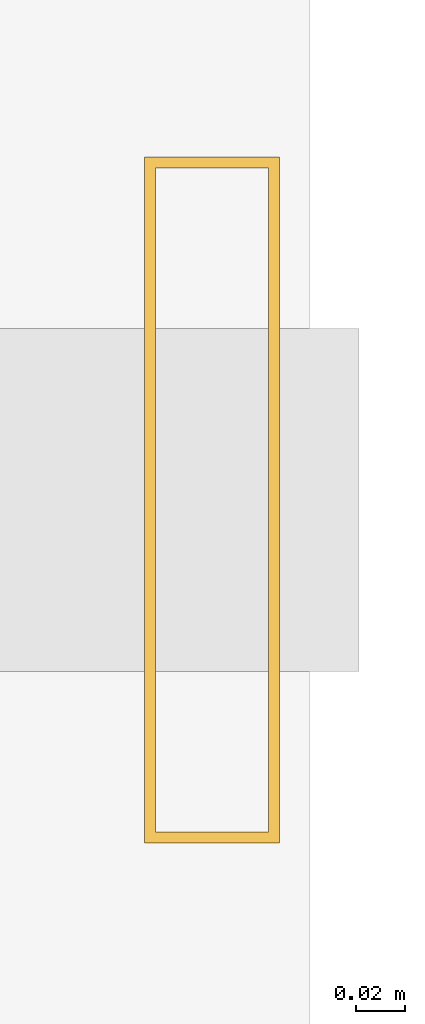
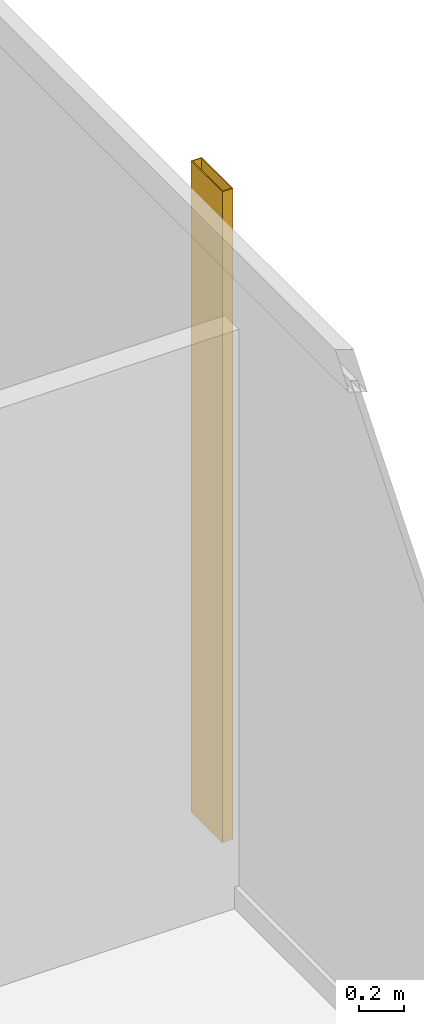
# One storey, part 24 of 24: 1 shading device.
"""IFC4 building model written with IfcOpenShell, lengths in metres."""

from ifc_helpers import new_model, si_unit, direction, frame, origin, origin_2d, place, context, subcontext, project, spatial, hollow_rectangle, extrude, material, material_profile, profile_set, type_object, element, save


model = new_model("IFC4")

# Units and contexts
model_context = context("Model", 3, precision=1e-05, world=origin(), true_north=direction((0.0, 1.0)))
body_context = subcontext(model_context, "Body", "Model", "MODEL_VIEW")
ifc_project = project(units=[si_unit("LENGTHUNIT", "METRE"), si_unit("AREAUNIT", "SQUARE_METRE"), si_unit("VOLUMEUNIT", "CUBIC_METRE"), si_unit("PLANEANGLEUNIT", "RADIAN"), si_unit("MASSUNIT", "GRAM", prefix="KILO")], contexts=[model_context])

# Site, building, storey
site_placement = place(None, origin())
site = spatial("IfcSite", under=ifc_project, at=site_placement, CompositionType="ELEMENT")
building_placement = place(site_placement, origin())
building = spatial("IfcBuilding", under=site, at=building_placement, Name="Kolvaren Waterfront Exchange", CompositionType="ELEMENT")
storey_placement = place(building_placement, frame((0.0, 0.0, 238.699951171875)))
storey = spatial("IfcBuildingStorey", under=building, at=storey_placement, Name="L61", CompositionType="ELEMENT", Elevation=238.699951171875)

# Shading device
ifc_material = material(Name="Anodised bronze aluminium 6063-T6", Category="aluminium")
ifc_material_profile = material_profile(ifc_material, hollow_rectangle(XDim=0.054931640625, YDim=0.280029296875, WallThickness=0.00439453125, at=origin_2d()), Name="BRZ-FIN-280x55x4.5")
ifc_profile_set = profile_set([ifc_material_profile], Name="Anodised bronze aluminium 6063-T6")
shading_device_type = type_object("IfcShadingDeviceType", Name="ARC-FIN-280", PredefinedType="USERDEFINED", material=ifc_profile_set)
shading_device_placement = place(storey_placement, frame((21.360107421875, 38.0, 0.0), z_axis=(0.0, 0.0, 1.0), x_axis=(1.0, 0.0, 0.0)))
element("IfcShadingDevice", 1, at=shading_device_placement, inside=storey, type_object=shading_device_type, Name="L61 anodised bronze solar shading fin FIN-L61-E3", ObjectType="SOLAR FIN", PredefinedType="USERDEFINED", context=body_context, shape_type="SweptSolid", body=[
    extrude(hollow_rectangle(XDim=0.054931640625, YDim=0.280029296875, WallThickness=0.00439453125, at=origin_2d()), origin(), (0.0, 0.0, 1.0), 3.56005859375),
])

save(model, "model.ifc")
